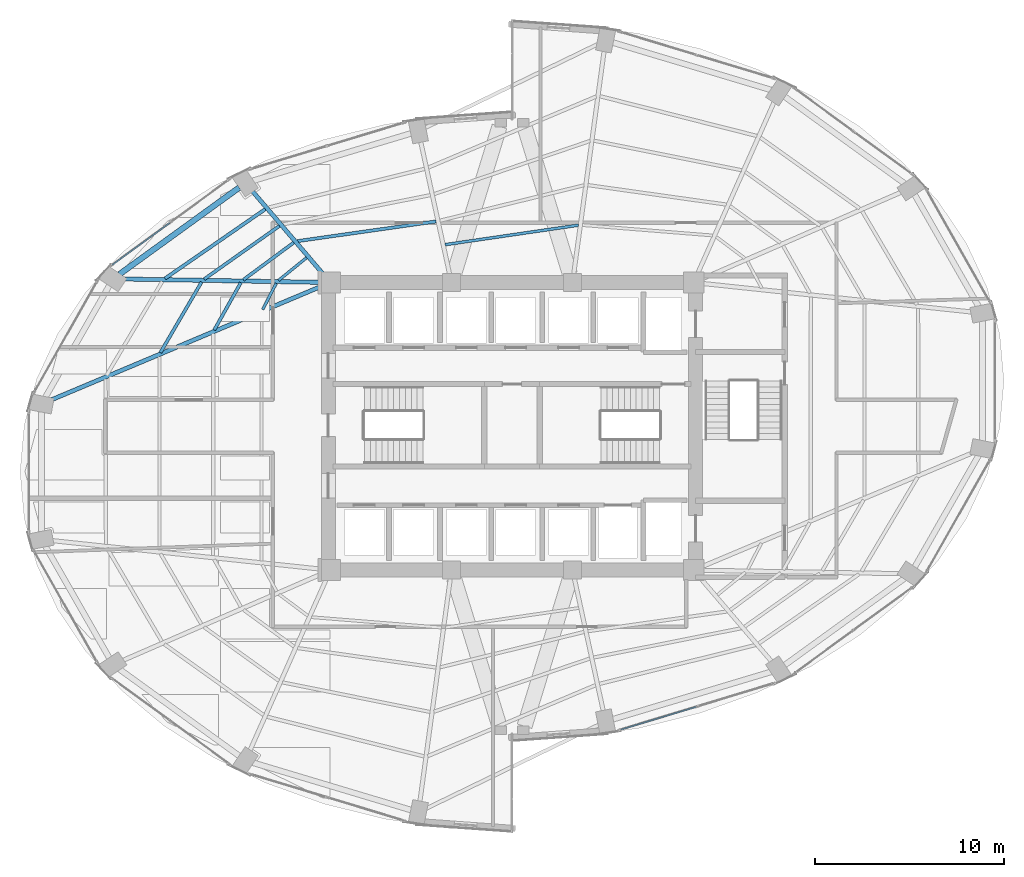
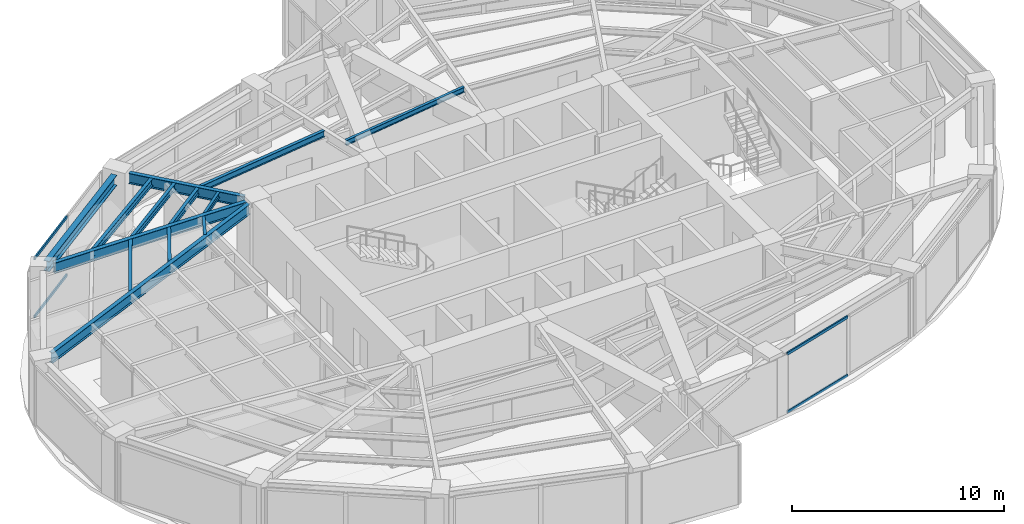
# One storey, part 9 of 24: 13 beams, 4 members, 2 elements without a shape of their own.
"""IFC4 building model written with IfcOpenShell, lengths in metres."""

from ifc_helpers import new_model, si_unit, direction, frame, origin, origin_2d, place, context, subcontext, project, spatial, hollow_rectangle, i_section, extrude, material, layer, layer_set, material_profile, profile_set, type_object, element, aggregate, save


model = new_model("IFC4")

# Units and contexts
model_context = context("Model", 3, precision=1e-05, world=origin(), true_north=direction((0.0, 1.0)))
body_context = subcontext(model_context, "Body", "Model", "MODEL_VIEW")
ifc_project = project(units=[si_unit("LENGTHUNIT", "METRE"), si_unit("AREAUNIT", "SQUARE_METRE"), si_unit("VOLUMEUNIT", "CUBIC_METRE"), si_unit("PLANEANGLEUNIT", "RADIAN"), si_unit("MASSUNIT", "GRAM", prefix="KILO")], contexts=[model_context])

# Site, building, storey
site_placement = place(None, origin())
site = spatial("IfcSite", under=ifc_project, at=site_placement, CompositionType="ELEMENT")
building_placement = place(site_placement, origin())
building = spatial("IfcBuilding", under=site, at=building_placement, Name="Lazwardi Medical Tower", CompositionType="ELEMENT")
storey_placement = place(building_placement, frame((0.0, 0.0, 96.3359375)))
storey = spatial("IfcBuildingStorey", under=building, at=storey_placement, Name="L24", CompositionType="ELEMENT", Elevation=96.3359375)

# Beams
ifc_material_1 = material(Name="Steel S355", Category="steel")
ifc_material_profile_1 = material_profile(ifc_material_1, i_section(OverallWidth=0.300048828125, OverallDepth=0.60009765625, WebThickness=0.015380859375, FlangeThickness=0.030029296875, at=origin_2d()), Name="HEB 600")
ifc_profile_set_1 = profile_set([ifc_material_profile_1], Name="Steel S355")
beam_type_1 = type_object("IfcBeamType", Name="BM-RB-Z2", PredefinedType="BEAM", material=ifc_profile_set_1)
beam_1_placement = place(storey_placement, frame((21.584228515625, 40.6171875, 3.128173828125), z_axis=(-0.810041907649, -0.586371987609, 0.0), x_axis=(0.586371987609, -0.810041907649, 0.0)))
element("IfcBeam", 1, at=beam_1_placement, inside=storey, type_object=beam_type_1, Name="Ring beam RB-03 B10 L24", PredefinedType="BEAM", context=body_context, shape_type="SweptSolid", body=[
    extrude(i_section(OverallWidth=0.300048828125, OverallDepth=0.60009765625, WebThickness=0.015380859375, FlangeThickness=0.030029296875, at=origin_2d()), origin(), (0.0, 0.0, 1.0), 7.814208984375),
])
ifc_material_profile_2 = material_profile(ifc_material_1, i_section(OverallWidth=0.219970703125, OverallDepth=0.60009765625, WebThickness=0.011962890625, FlangeThickness=0.01904296875, at=origin_2d()), Name="IPE 600")
ifc_profile_set_2 = profile_set([ifc_material_profile_2], Name="Steel S355")
beam_type_2 = type_object("IfcBeamType", Name="BM-RG-W1", PredefinedType="BEAM", material=ifc_profile_set_2)
beam_2_placement = place(storey_placement, frame((22.292724609375, 40.416259765625, 3.128173828125), z_axis=(0.648870567436, -0.760898801889, 0.0), x_axis=(0.760898801889, 0.648870567436, 0.0)))
element("IfcBeam", 2, at=beam_2_placement, inside=storey, type_object=beam_type_2, Name="Radial girder RG-02 R10 L24", PredefinedType="BEAM", context=body_context, shape_type="SweptSolid", body=[
    extrude(i_section(OverallWidth=0.219970703125, OverallDepth=0.60009765625, WebThickness=0.011962890625, FlangeThickness=0.01904296875, at=origin_2d()), origin(), (0.0, 0.0, 1.0), 5.794677734375),
])
beam_3_placement = place(storey_placement, frame((15.502197265625, 35.784912109375, 3.128173828125), z_axis=(0.99985616395, -0.016960289263, 0.0), x_axis=(0.016960289263, 0.99985616395, 0.0)))
element("IfcBeam", 3, at=beam_3_placement, inside=storey, type_object=beam_type_2, Name="Radial girder RG-02 R11 L24", PredefinedType="BEAM", context=body_context, shape_type="SweptSolid", body=[
    extrude(i_section(OverallWidth=0.219970703125, OverallDepth=0.60009765625, WebThickness=0.011962890625, FlangeThickness=0.01904296875, at=origin_2d()), origin(), (0.0, 0.0, 1.0), 10.3642578125),
])
beam_4_placement = place(storey_placement, frame((11.671630859375, 29.40478515625, 3.128173828125), z_axis=(0.921775176005, 0.38772480563, 0.0), x_axis=(-0.38772480563, 0.921775176005, 0.0)))
element("IfcBeam", 4, at=beam_4_placement, inside=storey, type_object=beam_type_2, Name="Radial girder RG-02 R12 L24", PredefinedType="BEAM", context=body_context, shape_type="SweptSolid", body=[
    extrude(i_section(OverallWidth=0.219970703125, OverallDepth=0.60009765625, WebThickness=0.011962890625, FlangeThickness=0.01904296875, at=origin_2d()), origin(), (0.0, 0.0, 1.0), 15.443359375),
])
ifc_material_profile_3 = material_profile(ifc_material_1, i_section(OverallWidth=0.179931640625, OverallDepth=0.39990234375, WebThickness=0.008544921875, FlangeThickness=0.013427734375, at=origin_2d()), Name="IPE 400")
ifc_profile_set_3 = profile_set([ifc_material_profile_3], Name="Steel S355")
beam_type_3 = type_object("IfcBeamType", Name="BM-SJ-01", PredefinedType="JOIST", material=ifc_profile_set_3)
beam_5_placement = place(storey_placement, frame((22.95849609375, 39.474609375, 3.22802734375), z_axis=(-0.822376339068, -0.568943896128, 0.0), x_axis=(0.568943896128, -0.822376339068, 0.0)))
element("IfcBeam", 5, at=beam_5_placement, inside=storey, type_object=beam_type_3, Name="Secondary joist SJ-01 R1 B10 L24", PredefinedType="JOIST", context=body_context, shape_type="SweptSolid", body=[
    extrude(i_section(OverallWidth=0.179931640625, OverallDepth=0.39990234375, WebThickness=0.008544921875, FlangeThickness=0.013427734375, at=origin_2d()), origin(), (0.0, 0.0, 1.0), 6.44189453125),
])
ifc_material_profile_4 = material_profile(ifc_material_1, i_section(OverallWidth=0.169921875, OverallDepth=0.360107421875, WebThickness=0.008056640625, FlangeThickness=0.0126953125, at=origin_2d()), Name="IPE 360")
ifc_profile_set_4 = profile_set([ifc_material_profile_4], Name="Steel S355")
beam_type_4 = type_object("IfcBeamType", Name="BM-SJ-02", PredefinedType="JOIST", material=ifc_profile_set_4)
beam_6_placement = place(storey_placement, frame((23.7109375, 38.591796875, 3.248046875), z_axis=(-0.816156371539, -0.577831097464, 0.0), x_axis=(0.577831097464, -0.816156371539, 0.0)))
element("IfcBeam", 6, at=beam_6_placement, inside=storey, type_object=beam_type_4, Name="Secondary joist SJ-02 R2 B10 L24", PredefinedType="JOIST", context=body_context, shape_type="SweptSolid", body=[
    extrude(i_section(OverallWidth=0.169921875, OverallDepth=0.360107421875, WebThickness=0.008056640625, FlangeThickness=0.0126953125, at=origin_2d()), origin(), (0.0, 0.0, 1.0), 4.8740234375),
])
beam_7_placement = place(storey_placement, frame((19.594482421875, 35.623779296875, 3.248046875), z_axis=(-0.503544274258, -0.86396942299, 0.0), x_axis=(0.86396942299, -0.503544274258, 0.0)))
element("IfcBeam", 7, at=beam_7_placement, inside=storey, type_object=beam_type_4, Name="Secondary joist SJ-02 R2 B11 L24", PredefinedType="JOIST", context=body_context, shape_type="SweptSolid", body=[
    extrude(i_section(OverallWidth=0.169921875, OverallDepth=0.360107421875, WebThickness=0.008056640625, FlangeThickness=0.0126953125, at=origin_2d()), origin(), (0.0, 0.0, 1.0), 4.321044921875),
])
beam_8_placement = place(storey_placement, frame((31.988525390625, 38.8271484375, 3.248046875), z_axis=(-0.990067108571, -0.140595592128, 0.0), x_axis=(0.140595592128, -0.990067108571, 0.0)))
element("IfcBeam", 8, at=beam_8_placement, inside=storey, type_object=beam_type_4, Name="Secondary joist SJ-02 R3 B09 L24", PredefinedType="JOIST", context=body_context, shape_type="SweptSolid", body=[
    extrude(i_section(OverallWidth=0.169921875, OverallDepth=0.360107421875, WebThickness=0.008056640625, FlangeThickness=0.0126953125, at=origin_2d()), origin(), (0.0, 0.0, 1.0), 7.409423828125),
])
beam_9_placement = place(storey_placement, frame((24.46435546875, 37.708251953125, 3.248046875), z_axis=(-0.804125525058, -0.594459536008, 0.0), x_axis=(0.594459536008, -0.804125525058, 0.0)))
element("IfcBeam", 9, at=beam_9_placement, inside=storey, type_object=beam_type_4, Name="Secondary joist SJ-02 R3 B10 L24", PredefinedType="JOIST", context=body_context, shape_type="SweptSolid", body=[
    extrude(i_section(OverallWidth=0.169921875, OverallDepth=0.360107421875, WebThickness=0.008056640625, FlangeThickness=0.0126953125, at=origin_2d()), origin(), (0.0, 0.0, 1.0), 3.30810546875),
])
beam_10_placement = place(storey_placement, frame((21.66845703125, 35.587890625, 3.248046875), z_axis=(-0.489860824278, -0.871800649711, 0.0), x_axis=(0.871800649711, -0.489860824278, 0.0)))
element("IfcBeam", 10, at=beam_10_placement, inside=storey, type_object=beam_type_4, Name="Secondary joist SJ-02 R3 B11 L24", PredefinedType="JOIST", context=body_context, shape_type="SweptSolid", body=[
    extrude(i_section(OverallWidth=0.169921875, OverallDepth=0.360107421875, WebThickness=0.008056640625, FlangeThickness=0.0126953125, at=origin_2d()), origin(), (0.0, 0.0, 1.0), 2.8662109375),
])
ifc_material_profile_5 = material_profile(ifc_material_1, i_section(OverallWidth=0.14990234375, OverallDepth=0.300048828125, WebThickness=0.007080078125, FlangeThickness=0.0107421875, at=origin_2d()), Name="IPE 300")
ifc_profile_set_5 = profile_set([ifc_material_profile_5], Name="Steel S355")
beam_type_5 = type_object("IfcBeamType", Name="BM-SJ-03", PredefinedType="JOIST", material=ifc_profile_set_5)
beam_11_placement = place(storey_placement, frame((39.511474609375, 38.62939453125, 3.278076171875), z_axis=(-0.98949221477, -0.144586157392, 0.0), x_axis=(0.144586157392, -0.98949221477, 0.0)))
element("IfcBeam", 11, at=beam_11_placement, inside=storey, type_object=beam_type_5, Name="Secondary joist SJ-03 R4 B08 L24", PredefinedType="JOIST", context=body_context, shape_type="SweptSolid", body=[
    extrude(i_section(OverallWidth=0.14990234375, OverallDepth=0.300048828125, WebThickness=0.007080078125, FlangeThickness=0.0107421875, at=origin_2d()), origin(), (0.0, 0.0, 1.0), 7.115478515625),
])
beam_12_placement = place(storey_placement, frame((25.14404296875, 36.910888671875, 3.278076171875), z_axis=(-0.77695773322, -0.629552762515, 0.0), x_axis=(0.629552762515, -0.77695773322, 0.0)))
element("IfcBeam", 12, at=beam_12_placement, inside=storey, type_object=beam_type_5, Name="Secondary joist SJ-03 R4 B10 L24", PredefinedType="JOIST", context=body_context, shape_type="SweptSolid", body=[
    extrude(i_section(OverallWidth=0.14990234375, OverallDepth=0.300048828125, WebThickness=0.007080078125, FlangeThickness=0.0107421875, at=origin_2d()), origin(), (0.0, 0.0, 1.0), 1.9013671875),
])
beam_13_placement = place(storey_placement, frame((23.537109375, 35.554443359375, 3.278076171875), z_axis=(-0.457956589674, -0.888974556427, 0.0), x_axis=(0.888974556427, -0.457956589674, 0.0)))
element("IfcBeam", 13, at=beam_13_placement, inside=storey, type_object=beam_type_5, Name="Secondary joist SJ-03 R4 B11 L24", PredefinedType="JOIST", context=body_context, shape_type="SweptSolid", body=[
    extrude(i_section(OverallWidth=0.14990234375, OverallDepth=0.300048828125, WebThickness=0.007080078125, FlangeThickness=0.0107421875, at=origin_2d()), origin(), (0.0, 0.0, 1.0), 1.558837890625),
])

# Curtain wall, members
ifc_material_2 = material(Name="Anodised bronze aluminium and solar control glazing", Category="aluminium")
ifc_layer = layer(ifc_material_2, 0.195068359375)
ifc_layer_set = layer_set([ifc_layer], Name="Anodised bronze aluminium and solar control glazing")
curtain_wall_type = type_object("IfcCurtainWallType", Name="CW-SYS-03", PredefinedType="NOTDEFINED", material=ifc_layer_set)
curtain_wall_1_placement = place(storey_placement, origin())
curtain_wall_1 = element("IfcCurtainWall", 14, at=curtain_wall_1_placement, inside=storey, type_object=curtain_wall_type, Name="L24 Unitised bronze curtain wall CW-03", PredefinedType="NOTDEFINED")
ifc_material_3 = material(Name="Anodised bronze aluminium", Category="aluminium")
ifc_material_profile_6 = material_profile(ifc_material_3, hollow_rectangle(XDim=0.074951171875, YDim=0.159912109375, WallThickness=0.00390625, at=origin_2d()), Name="ALU-TRANSOM 160x75x4")
ifc_profile_set_6 = profile_set([ifc_material_profile_6], Name="Anodised bronze aluminium")
member_type = type_object("IfcMemberType", Name="CW-TRN-01", PredefinedType="USERDEFINED", material=ifc_profile_set_6)
member_1_placement = place(storey_placement, frame((41.74609375, 11.970703125, 0.03759765625), z_axis=(0.957220865985, 0.289358279168, 0.0), x_axis=(-0.289358279168, 0.957220865985, 0.0)))
member_1 = element("IfcMember", 15, at=member_1_placement, type_object=member_type, Name="CW-03 transom 1.1", ObjectType="TRANSOM", PredefinedType="USERDEFINED", context=body_context, shape_type="SweptSolid", body=[
    extrude(hollow_rectangle(XDim=0.074951171875, YDim=0.159912109375, WallThickness=0.00390625, at=origin_2d()), origin(), (0.0, 0.0, 1.0), 4.16552734375),
])
member_2_placement = place(storey_placement, frame((41.74609375, 11.970703125, 3.390625), z_axis=(0.957220865985, 0.289358279168, 0.0), x_axis=(-0.289358279168, 0.957220865985, 0.0)))
member_2 = element("IfcMember", 16, at=member_2_placement, type_object=member_type, Name="CW-03 transom 1.2", ObjectType="TRANSOM", PredefinedType="USERDEFINED", context=body_context, shape_type="SweptSolid", body=[
    extrude(hollow_rectangle(XDim=0.074951171875, YDim=0.159912109375, WallThickness=0.00390625, at=origin_2d()), origin(), (0.0, 0.0, 1.0), 4.16552734375),
])
aggregate(curtain_wall_1, [member_1, member_2])

curtain_wall_2_placement = place(storey_placement, origin())
curtain_wall_2 = element("IfcCurtainWall", 17, at=curtain_wall_2_placement, inside=storey, type_object=curtain_wall_type, Name="L24 Unitised bronze curtain wall CW-03", PredefinedType="NOTDEFINED")
member_3_placement = place(storey_placement, frame((17.918701171875, 38.752197265625, 0.03759765625), z_axis=(-0.807731734271, -0.589550206049, 0.0), x_axis=(0.589550206049, -0.807731734271, 0.0)))
member_3 = element("IfcMember", 18, at=member_3_placement, type_object=member_type, Name="CW-03 transom 2.1", ObjectType="TRANSOM", PredefinedType="USERDEFINED", context=body_context, shape_type="SweptSolid", body=[
    extrude(hollow_rectangle(XDim=0.074951171875, YDim=0.159912109375, WallThickness=0.00390625, at=origin_2d()), origin(), (0.0, 0.0, 1.0), 3.767578125),
])
member_4_placement = place(storey_placement, frame((17.918701171875, 38.752197265625, 3.390625), z_axis=(-0.807731734271, -0.589550206049, 0.0), x_axis=(0.589550206049, -0.807731734271, 0.0)))
member_4 = element("IfcMember", 19, at=member_4_placement, type_object=member_type, Name="CW-03 transom 2.2", ObjectType="TRANSOM", PredefinedType="USERDEFINED", context=body_context, shape_type="SweptSolid", body=[
    extrude(hollow_rectangle(XDim=0.074951171875, YDim=0.159912109375, WallThickness=0.00390625, at=origin_2d()), origin(), (0.0, 0.0, 1.0), 3.767578125),
])
aggregate(curtain_wall_2, [member_3, member_4])

save(model, "model.ifc")
